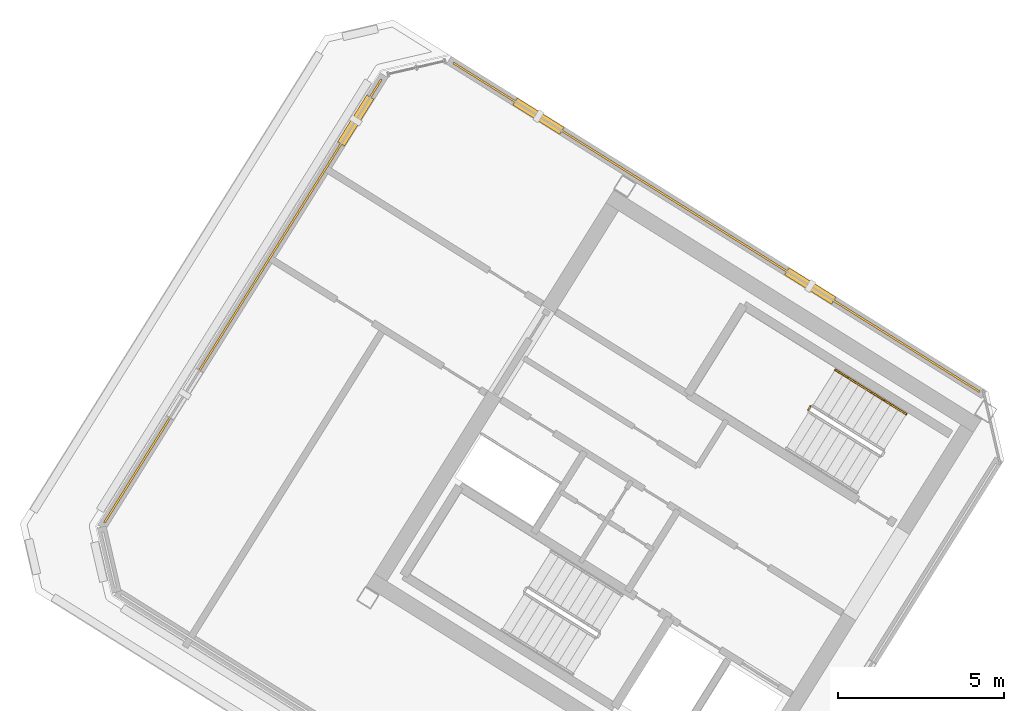
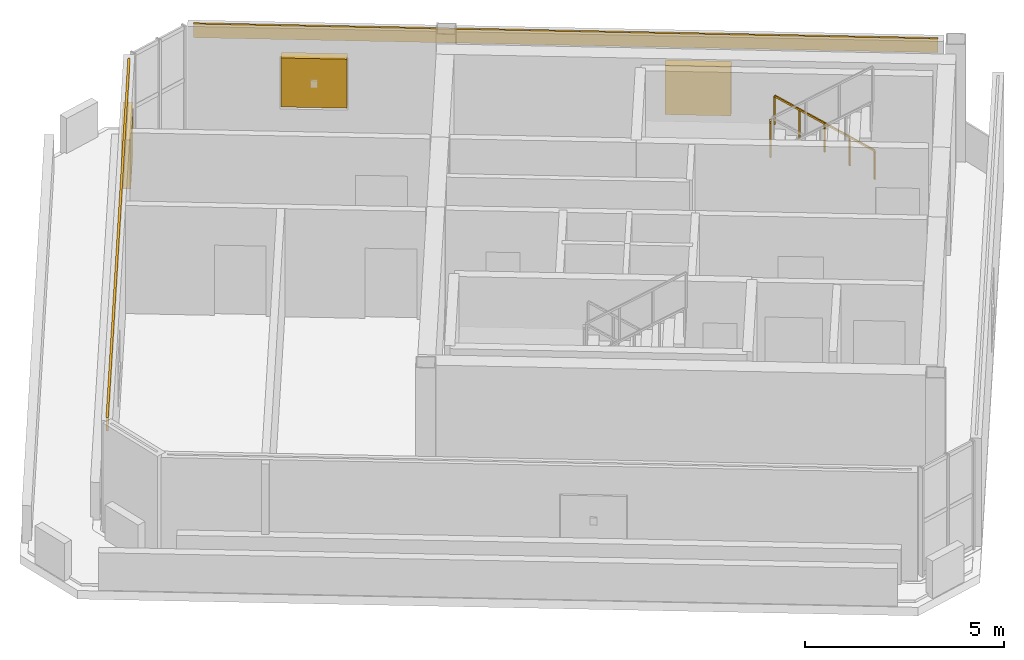
# One storey, part 9 of 9: 3 railings, 3 shading devices, 2 coverings.
"""IFC4 building model written with IfcOpenShell, lengths in metres."""

import ifcopenshell
import ifcopenshell.guid

model = None  # the IFC model being written
_history = None  # IfcOwnerHistory: only IFC2X3 demands one
_inside = {}  # id of a spatial element -> (the spatial element, [elements in it])
_under = {}  # id of a project, library or spatial element -> (it, [spatial elements below it])
_declared = {}  # id of a project -> (the project, [libraries it declares])
_typed = {}  # id of a type object -> (the type object, [elements of that type])
_made_of = {}  # id of a material, layer set ... -> (it, [elements and type objects made of it])


def new_model(schema):
    """Start an empty IFC model of exactly this schema.

    Asked for "IFC4X3", IfcOpenShell would pick the latest addendum, in which some entities
    have other attributes; the version numbers below select the first issue.
    IFC2X3 requires an IfcOwnerHistory on every rooted entity: one is made here for all.
    """
    global model, _history
    if schema == "IFC4X3":
        model = ifcopenshell.file(schema_version=(4, 3, 0, 0))
    else:
        model = ifcopenshell.file(schema=schema)
    _inside.clear()
    _under.clear()
    _declared.clear()
    _typed.clear()
    _made_of.clear()
    _history = None
    if model.schema == "IFC2X3":
        org = make("IfcOrganization", Name="unknown")
        user = make(
            "IfcPersonAndOrganization",
            ThePerson=make("IfcPerson", FamilyName="unknown"),
            TheOrganization=org,
        )
        app = make(
            "IfcApplication",
            ApplicationDeveloper=org,
            Version="unknown",
            ApplicationFullName="unknown",
            ApplicationIdentifier="unknown",
        )
        _history = make(
            "IfcOwnerHistory",
            OwningUser=user,
            OwningApplication=app,
            ChangeAction="ADDED",
            CreationDate=0,
        )
    return model


def make(cls, **values):
    """One entity of the class cls with the attributes given. An attribute that is None is left unset."""
    return model.create_entity(
        cls, **{name: value for name, value in values.items() if value is not None}
    )


def rooted(cls, **values):
    """An entity with a GlobalId (a new one), such as an element, a storey or a relation."""
    return make(cls, GlobalId=ifcopenshell.guid.new(), OwnerHistory=_history, **values)


def si_unit(unit_type, name, prefix=None):
    """IfcSIUnit, for example si_unit("LENGTHUNIT", "METRE", prefix="MILLI")."""
    return make("IfcSIUnit", UnitType=unit_type, Prefix=prefix, Name=name)


def assignment(units):
    """IfcUnitAssignment: the units of a project."""
    return None if units is None else make("IfcUnitAssignment", Units=units)


def point(xyz):
    """IfcCartesianPoint."""
    return None if xyz is None else make("IfcCartesianPoint", Coordinates=xyz)


def direction(xyz):
    """IfcDirection."""
    return None if xyz is None else make("IfcDirection", DirectionRatios=xyz)


def frame(location, z_axis=None, x_axis=None):
    """IfcAxis2Placement3D, a coordinate frame: its origin and axes. An axis left out is left unset."""
    return make(
        "IfcAxis2Placement3D",
        Location=point(location),
        Axis=direction(z_axis),
        RefDirection=direction(x_axis),
    )


def frame_2d(location, x_axis=None):
    """IfcAxis2Placement2D, a coordinate frame in the plane: its origin and x axis."""
    return make(
        "IfcAxis2Placement2D", Location=point(location), RefDirection=direction(x_axis)
    )


def origin():
    """The frame at (0, 0, 0) with its axes left unset."""
    return frame((0.0, 0.0, 0.0))


def origin_2d():
    """The frame at (0, 0) in the plane with its x axis left unset."""
    return frame_2d((0.0, 0.0))


def place(relative_to, where):
    """IfcLocalPlacement: puts the frame where relative to a parent placement (None: the world)."""
    return make(
        "IfcLocalPlacement", PlacementRelTo=relative_to, RelativePlacement=where
    )


def context(
    kind, dimensions, precision=None, world=None, true_north=None, identifier=None
):
    """IfcGeometricRepresentationContext, for example the 3D "Model" context."""
    return make(
        "IfcGeometricRepresentationContext",
        ContextIdentifier=identifier,
        ContextType=kind,
        CoordinateSpaceDimension=dimensions,
        Precision=precision,
        WorldCoordinateSystem=world,
        TrueNorth=true_north,
    )


def subcontext(parent, identifier, kind, view, scale=None):
    """IfcGeometricRepresentationSubContext, for example "Body" below "Model"."""
    return make(
        "IfcGeometricRepresentationSubContext",
        ContextIdentifier=identifier,
        ContextType=kind,
        ParentContext=parent,
        TargetScale=scale,
        TargetView=view,
    )


def project(units=None, contexts=None):
    """IfcProject with its units and contexts."""
    return rooted(
        "IfcProject",
        Name="project",
        RepresentationContexts=contexts,
        UnitsInContext=assignment(units),
    )


def spatial(cls, under=None, at=None, **own):
    """A site, building, storey or space (cls), placed at a placement, below another one or the project."""
    s = rooted(cls, ObjectPlacement=at, **own)
    if under is not None:
        _under.setdefault(under.id(), (under, []))[1].append(s)
    return s


def profile(cls, at=None, kind="AREA", **sizes):
    """A parametric profile (cls). Its sizes go by their IFC names, for example OverallWidth=200.0."""
    return make(cls, ProfileType=kind, Position=at, **sizes)


def rectangle(**sizes):
    """IfcRectangleProfileDef."""
    return profile("IfcRectangleProfileDef", **sizes)


def extrude(swept, where, along, depth):
    """IfcExtrudedAreaSolid: the profile swept, set in the frame where, extruded along a direction by depth."""
    return make(
        "IfcExtrudedAreaSolid",
        SweptArea=swept,
        Position=where,
        ExtrudedDirection=direction(along),
        Depth=depth,
    )


def shape(context_of_items, identifier, shape_type, items):
    """IfcShapeRepresentation: the items that make up one representation, for example the "Body"."""
    return make(
        "IfcShapeRepresentation",
        ContextOfItems=context_of_items,
        RepresentationIdentifier=identifier,
        RepresentationType=shape_type,
        Items=items,
    )


def source(mapping_origin, context_of_items, identifier, shape_type, items):
    """IfcRepresentationMap: a shape defined once, which mapped items show again and again."""
    return make(
        "IfcRepresentationMap",
        MappingOrigin=mapping_origin,
        MappedRepresentation=shape(context_of_items, identifier, shape_type, items),
    )


def transform(
    local_origin,
    x_axis=None,
    y_axis=None,
    z_axis=None,
    scale=None,
    scale2=None,
    scale3=None,
    uniform=True,
):
    """IfcCartesianTransformationOperator3D, or its non-uniform kind. x_axis, y_axis, z_axis: its Axis1, 2, 3."""
    if uniform:
        return make(
            "IfcCartesianTransformationOperator3D",
            Axis1=direction(x_axis),
            Axis2=direction(y_axis),
            LocalOrigin=point(local_origin),
            Scale=scale,
            Axis3=direction(z_axis),
        )
    return make(
        "IfcCartesianTransformationOperator3DnonUniform",
        Axis1=direction(x_axis),
        Axis2=direction(y_axis),
        LocalOrigin=point(local_origin),
        Scale=scale,
        Axis3=direction(z_axis),
        Scale2=scale2,
        Scale3=scale3,
    )


def mapped(mapping_source, mapping_target):
    """IfcMappedItem: shows the shape of a source again, moved by a transform."""
    return make(
        "IfcMappedItem", MappingSource=mapping_source, MappingTarget=mapping_target
    )


def material(Name=None, Category=None):
    """IfcMaterial."""
    return make("IfcMaterial", Name=Name, Category=Category)


def layer(
    of_material, thickness, ventilated=None, Name=None, Category=None, Priority=None
):
    """IfcMaterialLayer: one layer of a wall or slab, of a material (None: an air gap)."""
    return make(
        "IfcMaterialLayer",
        Material=of_material,
        LayerThickness=thickness,
        IsVentilated=ventilated,
        Name=Name,
        Category=Category,
        Priority=Priority,
    )


def layer_set(layers, Name=None):
    """IfcMaterialLayerSet."""
    return make("IfcMaterialLayerSet", MaterialLayers=layers, LayerSetName=Name)


def made_of(thing, what):
    """Note that an element or type object is made of a material, layer set ...; save() writes the relation."""
    if what is not None:
        _made_of.setdefault(what.id(), (what, []))[1].append(thing)
    return thing


def type_object(cls, material=None, **own):
    """A type object (cls), such as IfcWallType, which elements share."""
    return made_of(rooted(cls, **own), material)


def element(
    cls,
    number,
    at=None,
    inside=None,
    cuts=None,
    type_object=None,
    material=None,
    context=None,
    identifier="Body",
    shape_type=None,
    held_by="IfcProductDefinitionShape",
    body=None,
    shapes=None,
    **own,
):
    """One element of the class cls, such as IfcWall. Its Tag is "e" and its number.

    at: its placement. inside: the storey or other place that contains it. cuts: it is an
    opening in that element (IfcRelVoidsElement). A single representation is given by context,
    identifier, shape_type and body (its items); several are given by shapes. held_by: the class
    of the entity that holds the representations. save() writes the other relations.
    """
    e = rooted(cls, Tag="e%d" % number, ObjectPlacement=at, **own)
    if body is not None:
        shapes = [shape(context, identifier, shape_type, body)]
    if shapes is not None:
        e.Representation = make(held_by, Representations=shapes)
    if inside is not None:
        _inside.setdefault(inside.id(), (inside, []))[1].append(e)
    if cuts is not None:
        rooted(
            "IfcRelVoidsElement", RelatingBuildingElement=cuts, RelatedOpeningElement=e
        )
    if type_object is not None:
        _typed.setdefault(type_object.id(), (type_object, []))[1].append(e)
    return made_of(e, material)


def aggregate(whole, parts):
    """IfcRelAggregates: a whole, such as a stair, and the parts it consists of."""
    return rooted("IfcRelAggregates", RelatingObject=whole, RelatedObjects=parts)


def save(model, path):
    """Write the relations noted so far, then the file.

    IfcRelAggregates (storeys below a building ...), IfcRelContainedInSpatialStructure (elements
    in a storey), IfcRelDefinesByType, IfcRelAssociatesMaterial and IfcRelDeclares: one each for
    every whole, place, type object, material and project.
    """
    for whole, parts in _under.values():
        aggregate(whole, parts)
    for where, things in _inside.values():
        rooted(
            "IfcRelContainedInSpatialStructure",
            RelatedElements=things,
            RelatingStructure=where,
        )
    for kind, things in _typed.values():
        rooted("IfcRelDefinesByType", RelatedObjects=things, RelatingType=kind)
    for what, things in _made_of.values():
        rooted("IfcRelAssociatesMaterial", RelatedObjects=things, RelatingMaterial=what)
    for by, libraries in _declared.values():
        rooted("IfcRelDeclares", RelatingContext=by, RelatedDefinitions=libraries)
    model.write(path)


model = new_model("IFC4")

# Units and contexts
model_context = context("Model", 3, precision=1e-05, world=origin(), true_north=direction((0.0, 1.0)))
body_context = subcontext(model_context, "Body", "Model", "MODEL_VIEW")
ifc_project = project(units=[si_unit("LENGTHUNIT", "METRE"), si_unit("AREAUNIT", "SQUARE_METRE"), si_unit("VOLUMEUNIT", "CUBIC_METRE"), si_unit("PLANEANGLEUNIT", "RADIAN"), si_unit("MASSUNIT", "GRAM", prefix="KILO")], contexts=[model_context])

# Site, building, storey
site_placement = place(None, origin())
site = spatial("IfcSite", under=ifc_project, at=site_placement, CompositionType="ELEMENT")
building_placement = place(site_placement, origin())
building = spatial("IfcBuilding", under=site, at=building_placement, Name="Tlacorven Tower", CompositionType="ELEMENT")
storey_placement = place(building_placement, frame((0.0, 0.0, 306.0)))
storey = spatial("IfcBuildingStorey", under=building, at=storey_placement, Name="L78", CompositionType="ELEMENT", Elevation=306.0)

# Shading devices
ifc_material_1 = material(Name="Anodised bronze aluminium acoustic louvre", Category="aluminium")
shading_device_type = type_object("IfcShadingDeviceType", Name="SH-LVR-WND", PredefinedType="JALOUSIE", material=ifc_material_1)
shared_shape_1 = source(origin(), body_context, "Body", "SweptSolid", [
    extrude(rectangle(XDim=1.659912109375, YDim=0.25, at=origin_2d()), origin(), (0.0, 0.0, 1.0), 1.5),
])
for number, where, z_axis, x_axis, name in (
    (1, (21.826171875, 33.2314453125, 0.89990234375), (0.0, 0.0, 1.0), (0.52991934678, 0.848048044576, 0.0), "L78 Storm-Resistant Acoustic Louvre Bank 4.2"),
    (2, (27.32470703125, 33.361572265625, 0.89990234375), (0.0, 0.0, 1.0), (0.848048303182, -0.529918932922, 0.0), "L78 Storm-Resistant Acoustic Louvre Bank 5.1"),
    (3, (35.50146484375, 28.252197265625, 0.89990234375), (0.0, 0.0, 1.0), (0.848048303182, -0.529918932922, 0.0), "L78 Storm-Resistant Acoustic Louvre Bank 5.2"),
):
    element("IfcShadingDevice", number, at=place(storey_placement, frame(where, z_axis=z_axis, x_axis=x_axis)), inside=storey, type_object=shading_device_type, Name=name, PredefinedType="JALOUSIE", context=body_context, shape_type="MappedRepresentation", body=[
        mapped(shared_shape_1, transform((0.0, 0.0, 0.0), scale=1.0)),
    ])

# Coverings
ifc_material_2 = material(Name="Precast concrete C45/55", Category="concrete")
ifc_layer = layer(ifc_material_2, 0.06005859375)
ifc_layer_set = layer_set([ifc_layer], Name="Precast concrete C45/55")
covering_type = type_object("IfcCoveringType", Name="CV-CLD-TERC", PredefinedType="CLADDING", material=ifc_layer_set)
shared_shape_2 = source(origin(), body_context, "Body", "SweptSolid", [
    extrude(rectangle(XDim=15.734130859375, YDim=0.06005859375, at=origin_2d()), origin(), (0.0, 0.0, 1.0), 0.419921875),
])
covering_1_placement = place(storey_placement, frame((18.428955078125, 27.794677734375, 2.900146484375), z_axis=(0.0, 0.0, 1.0), x_axis=(0.52991934678, 0.848048044576, 0.0)))
element("IfcCovering", 4, at=covering_1_placement, inside=storey, type_object=covering_type, Name="L78 Masonry-Frame Spandrel Cladding 4", PredefinedType="CLADDING", context=body_context, shape_type="MappedRepresentation", body=[
    mapped(shared_shape_2, transform((0.0, 0.0, 0.0), scale=1.0)),
])
shared_shape_3 = source(origin(), body_context, "Body", "SweptSolid", [
    extrude(rectangle(XDim=18.68408203125, YDim=0.06005859375, at=origin_2d()), origin(), (0.0, 0.0, 1.0), 0.419921875),
])
covering_2_placement = place(storey_placement, frame((32.680908203125, 30.0146484375, 2.900146484375), z_axis=(0.0, 0.0, 1.0), x_axis=(0.848048303182, -0.529918932922, 0.0)))
element("IfcCovering", 5, at=covering_2_placement, inside=storey, type_object=covering_type, Name="L78 Masonry-Frame Spandrel Cladding 5", PredefinedType="CLADDING", context=body_context, shape_type="MappedRepresentation", body=[
    mapped(shared_shape_3, transform((0.0, 0.0, 0.0), scale=1.0)),
])

# Railings
ifc_material_3 = material(Name="Aluminium and painted steel balustrade", Category="steel")
railing_type_1 = type_object("IfcRailingType", Name="RL-HND-0900", PredefinedType="HANDRAIL", material=ifc_material_3)
shared_shape_4 = source(origin(), body_context, "Body", "SweptSolid", [
    extrude(rectangle(XDim=0.048095703125, YDim=0.048095703125, at=origin_2d()), frame((0.0, 0.0, 0.8759765625), z_axis=(-0.713359751793, 0.4457479829, 0.540764828981), x_axis=(-0.529911857636, -0.848052724267, 0.0)), (0.0, 0.0, 1.0), 1.498046875),
    extrude(rectangle(XDim=0.0419921875, YDim=0.0419921875, at=origin_2d()), origin(), (0.0, 0.0, 1.0), 0.851806640625),
    extrude(rectangle(XDim=0.0419921875, YDim=0.0419921875, at=origin_2d()), frame((-0.5341796875, 0.333984375, 0.405029296875)), (0.0, 0.0, 1.0), 0.851806640625),
    extrude(rectangle(XDim=0.0419921875, YDim=0.0419921875, at=origin_2d()), frame((-1.068603515625, 0.667724609375, 0.81005859375)), (0.0, 0.0, 1.0), 0.851806640625),
])
for number, where, name in (
    (6, (38.390625, 24.39501953125, 0.179931640625), "L78 ST-W2 stair handrail 1"),
    (7, (37.322021484375, 25.062744140625, 0.989990234375), "L78 ST-W2 stair handrail 2"),
):
    element("IfcRailing", number, at=place(storey_placement, frame(where)), inside=storey, type_object=railing_type_1, Name=name, PredefinedType="HANDRAIL", context=body_context, shape_type="MappedRepresentation", body=[
        mapped(shared_shape_4, transform((0.0, 0.0, 0.0), scale=1.0)),
    ])
railing_type_2 = type_object("IfcRailingType", Name="RL-GRD-1100", PredefinedType="GUARDRAIL", material=ifc_material_3)
shared_shape_5 = source(origin(), body_context, "Body", "SweptSolid", [
    extrude(rectangle(XDim=0.048095703125, YDim=0.048095703125, at=origin_2d()), frame((0.0, 0.0, 1.076171875), z_axis=(-0.531462422766, -0.847081869236, 0.0), x_axis=(0.847081869236, -0.531462422766, 0.0)), (0.0, 0.0, 1.0), 0.119873046875),
    extrude(rectangle(XDim=0.0419921875, YDim=0.0419921875, at=origin_2d()), origin(), (0.0, 0.0, 1.0), 1.052001953125),
    extrude(rectangle(XDim=0.0419921875, YDim=0.0419921875, at=origin_2d()), frame((-0.063720703125, -0.1015625, 0.0)), (0.0, 0.0, 1.0), 1.052001953125),
])
railing_placement = place(storey_placement, frame((35.50634765625, 24.62890625, 1.800048828125)))
element("IfcRailing", 8, at=railing_placement, inside=storey, type_object=railing_type_2, Name="L78 ST-W2 stair guard 2", PredefinedType="GUARDRAIL", context=body_context, shape_type="MappedRepresentation", body=[
    mapped(shared_shape_5, transform((0.0, 0.0, 0.0), scale=1.0)),
])

save(model, "model.ifc")
